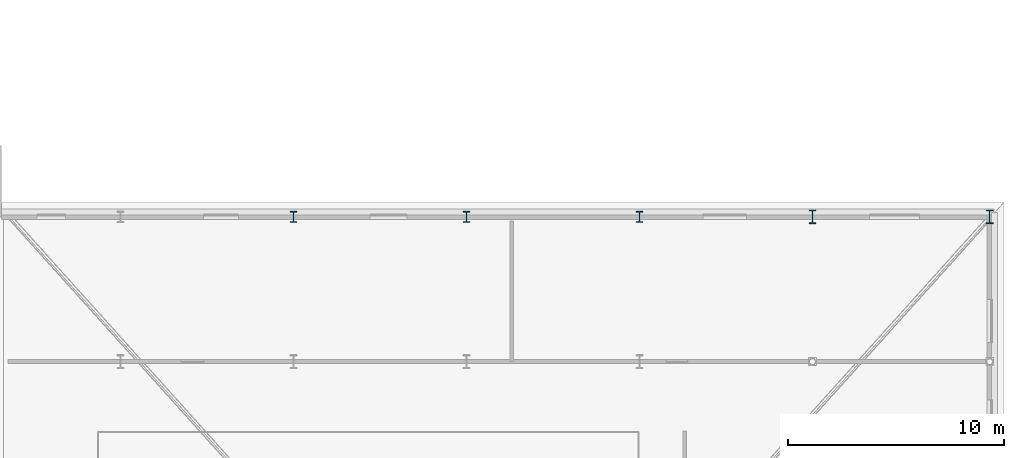
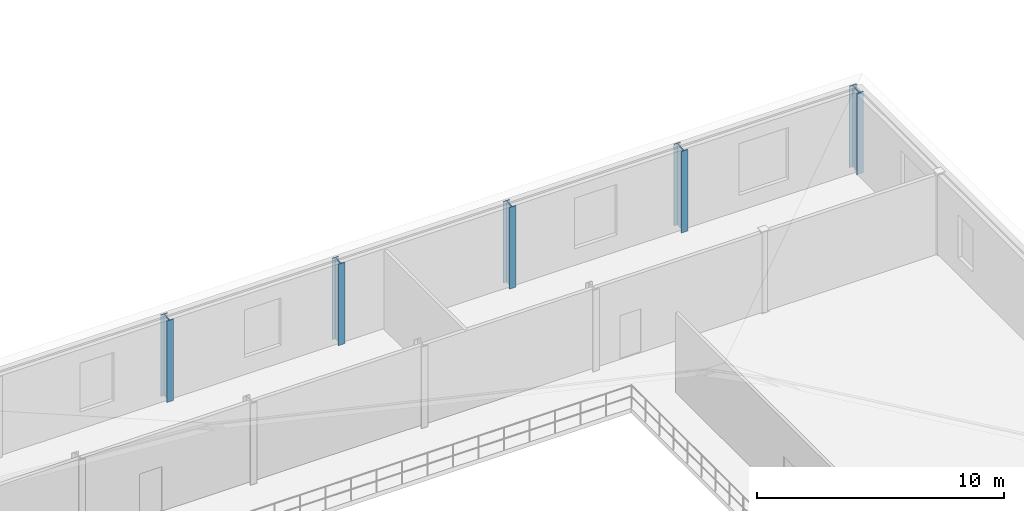
# One storey, part 16 of 148: 5 columns.
"""IFC4 building model written with IfcOpenShell, lengths in metres."""

from ifc_helpers import new_model, si_unit, direction, frame, origin, origin_2d, place, context, subcontext, project, spatial, i_section, extrude, material, material_profile, profile_set, type_object, element, save


model = new_model("IFC4")

# Units and contexts
model_context = context("Model", 3, precision=1e-05, world=origin(), true_north=direction((0.0, 1.0)))
body_context = subcontext(model_context, "Body", "Model", "MODEL_VIEW")
ifc_project = project(units=[si_unit("LENGTHUNIT", "METRE"), si_unit("AREAUNIT", "SQUARE_METRE"), si_unit("VOLUMEUNIT", "CUBIC_METRE"), si_unit("PLANEANGLEUNIT", "RADIAN"), si_unit("MASSUNIT", "GRAM", prefix="KILO"), si_unit("THERMODYNAMICTEMPERATUREUNIT", "KELVIN"), si_unit("POWERUNIT", "WATT")], contexts=[model_context])

# Site, building, storey
site_placement = place(None, origin())
site = spatial("IfcSite", under=ifc_project, at=site_placement, CompositionType="ELEMENT")
building_placement = place(site_placement, origin())
building = spatial("IfcBuilding", under=site, at=building_placement, Name="Solvatero Civic Police Headquarters", CompositionType="ELEMENT")
storey_placement = place(building_placement, frame((0.0, 0.0, 5.10009765625)))
storey = spatial("IfcBuildingStorey", under=building, at=storey_placement, Name="L01", CompositionType="ELEMENT", Elevation=5.10009765625)

# Columns
ifc_material = material(Name="Steel S355", Category="steel")
ifc_material_profile_1 = material_profile(ifc_material, i_section(OverallWidth=0.305908203125, OverallDepth=0.52392578125, WebThickness=0.02099609375, FlangeThickness=0.0400390625, FilletRadius=0.027099609375, at=origin_2d()), Name="HEM 500")
ifc_profile_set_1 = profile_set([ifc_material_profile_1], Name="Steel S355")
column_type_1 = type_object("IfcColumnType", Name="COL-ST-HEM500", PredefinedType="COLUMN", material=ifc_profile_set_1)
for number, where, z_axis, x_axis, name in (
    (1, (136.0, 43.199951171875, 0.0), (0.0, 0.0, 1.0), (1.0, 0.0, 0.0), "Column V3-X2Y4 L01"),
    (2, (144.0, 43.199951171875, 0.0), (0.0, 0.0, 1.0), (1.0, 0.0, 0.0), "Column V3-X3Y4 L01"),
    (3, (152.0, 43.199951171875, 0.0), (0.0, 0.0, 1.0), (1.0, 0.0, 0.0), "Column V3-X4Y4 L01"),
):
    element("IfcColumn", number, at=place(storey_placement, frame(where, z_axis=z_axis, x_axis=x_axis)), inside=storey, type_object=column_type_1, Name=name, PredefinedType="COLUMN", context=body_context, shape_type="SweptSolid", body=[
        extrude(i_section(OverallWidth=0.305908203125, OverallDepth=0.52392578125, WebThickness=0.02099609375, FlangeThickness=0.0400390625, FilletRadius=0.027099609375, at=origin_2d()), origin(), (0.0, 0.0, 1.0), 4.02001953125),
    ])
ifc_material_profile_2 = material_profile(ifc_material, i_section(OverallWidth=0.304931640625, OverallDepth=0.6201171875, WebThickness=0.02099609375, FlangeThickness=0.0400390625, FilletRadius=0.027099609375, at=origin_2d()), Name="HEM 600")
ifc_profile_set_2 = profile_set([ifc_material_profile_2], Name="Steel S355")
column_type_2 = type_object("IfcColumnType", Name="COL-ST-HEM600", PredefinedType="COLUMN", material=ifc_profile_set_2)
for number, where, z_axis, x_axis, name in (
    (4, (160.0, 43.199951171875, 0.0), (0.0, 0.0, 1.0), (1.0, 0.0, 0.0), "Column V3-X5Y4 L01"),
    (5, (168.199951171875, 43.199951171875, 0.0), (0.0, 0.0, 1.0), (1.0, 0.0, 0.0), "Column V3-X6Y4 L01"),
):
    element("IfcColumn", number, at=place(storey_placement, frame(where, z_axis=z_axis, x_axis=x_axis)), inside=storey, type_object=column_type_2, Name=name, PredefinedType="COLUMN", context=body_context, shape_type="SweptSolid", body=[
        extrude(i_section(OverallWidth=0.304931640625, OverallDepth=0.6201171875, WebThickness=0.02099609375, FlangeThickness=0.0400390625, FilletRadius=0.027099609375, at=origin_2d()), origin(), (0.0, 0.0, 1.0), 4.02001953125),
    ])

save(model, "model.ifc")
